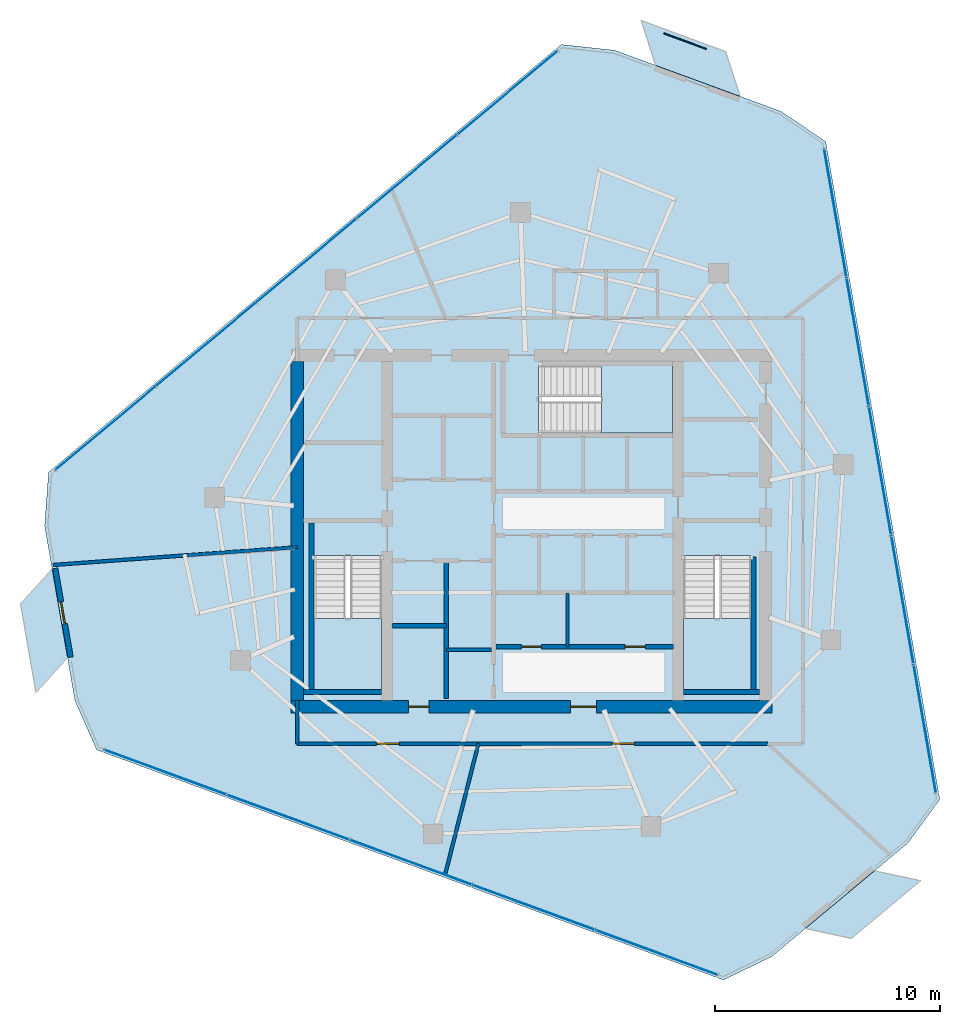
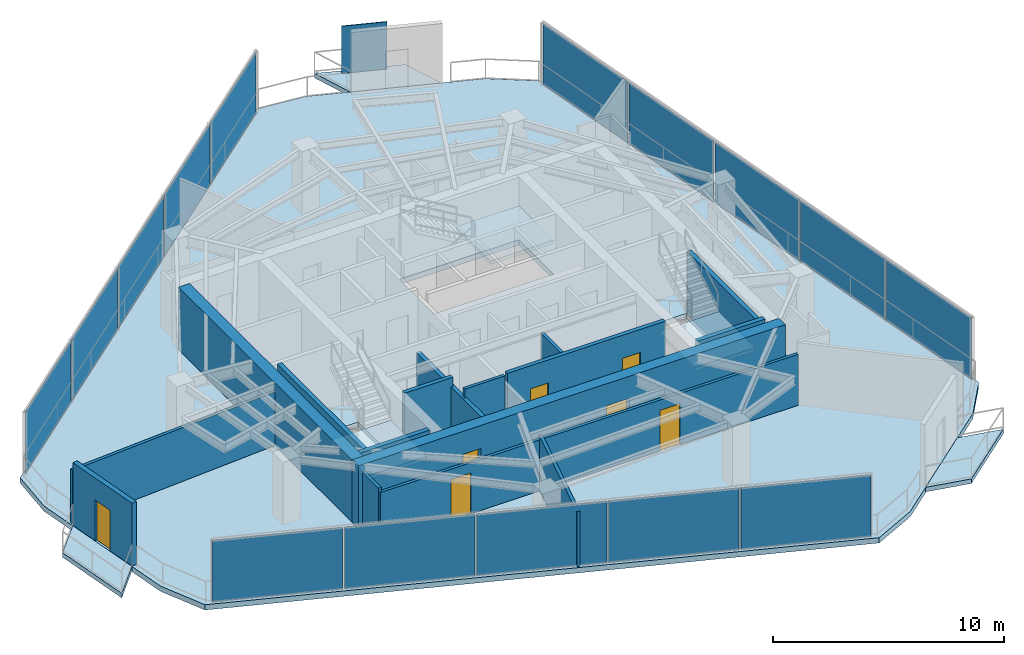
# One storey, part 14 of 18: 17 walls, 16 plates, 7 doors, 7 slabs, 7 openings, 6 elements without a shape of their own.
"""IFC4 building model written with IfcOpenShell, lengths in metres."""

from ifc_helpers import new_model, si_unit, direction, frame, frame_2d, origin, origin_2d, place, context, subcontext, project, spatial, polyline, rectangle, outline, extrude, material, layer, layer_set, type_object, element, fill, aggregate, save


model = new_model("IFC4")

# Units and contexts
model_context = context("Model", 3, precision=1e-05, world=origin(), true_north=direction((0.0, 1.0)))
body_context = subcontext(model_context, "Body", "Model", "MODEL_VIEW")
ifc_project = project(units=[si_unit("LENGTHUNIT", "METRE"), si_unit("AREAUNIT", "SQUARE_METRE"), si_unit("VOLUMEUNIT", "CUBIC_METRE"), si_unit("PLANEANGLEUNIT", "RADIAN"), si_unit("MASSUNIT", "GRAM", prefix="KILO")], contexts=[model_context])

# Site, building, storey
site_placement = place(None, origin())
site = spatial("IfcSite", under=ifc_project, at=site_placement, CompositionType="ELEMENT")
building_placement = place(site_placement, origin())
building = spatial("IfcBuilding", under=site, at=building_placement, Name="Qarnah Convention Tower", CompositionType="ELEMENT")
storey_placement = place(building_placement, frame((0.0, 0.0, 216.60009765625)))
storey = spatial("IfcBuildingStorey", under=building, at=storey_placement, Name="L58", CompositionType="ELEMENT", Elevation=216.60009765625)

# Curtain wall, plates
ifc_material_1 = material(Name="Tempered Low-E dark glass", Category="glass")
ifc_layer_1 = layer(ifc_material_1, 0.174072265625)
ifc_layer_set_1 = layer_set([ifc_layer_1], Name="Tempered Low-E dark glass")
curtain_wall_type = type_object("IfcCurtainWallType", Name="CWS-04", PredefinedType="NOTDEFINED", material=ifc_layer_set_1)
curtain_wall_1_placement = place(storey_placement, origin())
curtain_wall_1 = element("IfcCurtainWall", 1, at=curtain_wall_1_placement, inside=storey, type_object=curtain_wall_type, Name="L58 unitised curtain wall CW-L58-F1", PredefinedType="NOTDEFINED")
ifc_layer_2 = layer(ifc_material_1, 0.033935546875)
ifc_layer_set_2 = layer_set([ifc_layer_2], Name="Tempered Low-E dark glass")
plate_type_1 = type_object("IfcPlateType", Name="PNL-T4", PredefinedType="CURTAIN_PANEL", material=ifc_layer_set_2)
plate_1_placement = place(storey_placement, frame((42.754150390625, 7.6796875, 0.0400390625), z_axis=(0.0, 0.0, 1.0), x_axis=(-0.938742302648, 0.34461991994, 0.0)))
plate_1 = element("IfcPlate", 2, at=plate_1_placement, type_object=plate_type_1, Name="CW-L58-F1 curtain panel 1.1", PredefinedType="CURTAIN_PANEL", context=body_context, shape_type="SweptSolid", body=[
    extrude(rectangle(XDim=5.7275390625, YDim=0.033935546875, at=origin_2d()), origin(), (0.0, 0.0, 1.0), 3.239990234375),
])
plate_2_placement = place(storey_placement, frame((37.30224609375, 9.68115234375, 0.0400390625), z_axis=(0.0, 0.0, 1.0), x_axis=(-0.938742302648, 0.34461991994, 0.0)))
plate_2 = element("IfcPlate", 3, at=plate_2_placement, type_object=plate_type_1, Name="CW-L58-F1 curtain panel 2.1", PredefinedType="CURTAIN_PANEL", context=body_context, shape_type="SweptSolid", body=[
    extrude(rectangle(XDim=5.7275390625, YDim=0.033935546875, at=origin_2d()), origin(), (0.0, 0.0, 1.0), 3.239990234375),
])
plate_3_placement = place(storey_placement, frame((31.8505859375, 11.6826171875, 0.0400390625), z_axis=(0.0, 0.0, 1.0), x_axis=(-0.938742302648, 0.34461991994, 0.0)))
plate_3 = element("IfcPlate", 4, at=plate_3_placement, type_object=plate_type_1, Name="CW-L58-F1 curtain panel 3.1", PredefinedType="CURTAIN_PANEL", context=body_context, shape_type="SweptSolid", body=[
    extrude(rectangle(XDim=5.7275390625, YDim=0.033935546875, at=origin_2d()), origin(), (0.0, 0.0, 1.0), 3.239990234375),
])
plate_4_placement = place(storey_placement, frame((26.398681640625, 13.683837890625, 0.0400390625), z_axis=(0.0, 0.0, 1.0), x_axis=(-0.938742302648, 0.34461991994, 0.0)))
plate_4 = element("IfcPlate", 5, at=plate_4_placement, type_object=plate_type_1, Name="CW-L58-F1 curtain panel 4.1", PredefinedType="CURTAIN_PANEL", context=body_context, shape_type="SweptSolid", body=[
    extrude(rectangle(XDim=5.7275390625, YDim=0.033935546875, at=origin_2d()), origin(), (0.0, 0.0, 1.0), 3.239990234375),
])
plate_5_placement = place(storey_placement, frame((20.947021484375, 15.685302734375, 0.0400390625), z_axis=(0.0, 0.0, 1.0), x_axis=(-0.938742302648, 0.34461991994, 0.0)))
plate_5 = element("IfcPlate", 6, at=plate_5_placement, type_object=plate_type_1, Name="CW-L58-F1 curtain panel 5.1", PredefinedType="CURTAIN_PANEL", context=body_context, shape_type="SweptSolid", body=[
    extrude(rectangle(XDim=5.7275390625, YDim=0.033935546875, at=origin_2d()), origin(), (0.0, 0.0, 1.0), 3.239990234375),
])
aggregate(curtain_wall_1, [plate_1, plate_2, plate_3, plate_4, plate_5])

curtain_wall_2_placement = place(storey_placement, origin())
curtain_wall_2 = element("IfcCurtainWall", 7, at=curtain_wall_2_placement, inside=storey, type_object=curtain_wall_type, Name="L58 unitised curtain wall CW-L58-F2", PredefinedType="NOTDEFINED")
plate_6_placement = place(storey_placement, frame((18.296630859375, 30.96435546875, 0.0400390625), z_axis=(0.0, 0.0, 1.0), x_axis=(0.767845724815, 0.64063479681, 0.0)))
plate_6 = element("IfcPlate", 8, at=plate_6_placement, type_object=plate_type_1, Name="CW-L58-F2 curtain panel 1.1", PredefinedType="CURTAIN_PANEL", context=body_context, shape_type="SweptSolid", body=[
    extrude(rectangle(XDim=5.727783203125, YDim=0.033935546875, at=origin_2d()), origin(), (0.0, 0.0, 1.0), 3.239990234375),
])
plate_7_placement = place(storey_placement, frame((22.756103515625, 34.684814453125, 0.0400390625), z_axis=(0.0, 0.0, 1.0), x_axis=(0.767845724815, 0.64063479681, 0.0)))
plate_7 = element("IfcPlate", 9, at=plate_7_placement, type_object=plate_type_1, Name="CW-L58-F2 curtain panel 2.1", PredefinedType="CURTAIN_PANEL", context=body_context, shape_type="SweptSolid", body=[
    extrude(rectangle(XDim=5.727783203125, YDim=0.033935546875, at=origin_2d()), origin(), (0.0, 0.0, 1.0), 3.239990234375),
])
plate_8_placement = place(storey_placement, frame((27.215576171875, 38.405517578125, 0.0400390625), z_axis=(0.0, 0.0, 1.0), x_axis=(0.767845724815, 0.64063479681, 0.0)))
plate_8 = element("IfcPlate", 10, at=plate_8_placement, type_object=plate_type_1, Name="CW-L58-F2 curtain panel 3.1", PredefinedType="CURTAIN_PANEL", context=body_context, shape_type="SweptSolid", body=[
    extrude(rectangle(XDim=5.727783203125, YDim=0.033935546875, at=origin_2d()), origin(), (0.0, 0.0, 1.0), 3.239990234375),
])
plate_9_placement = place(storey_placement, frame((31.6748046875, 42.126220703125, 0.0400390625), z_axis=(0.0, 0.0, 1.0), x_axis=(0.767845724815, 0.64063479681, 0.0)))
plate_9 = element("IfcPlate", 11, at=plate_9_placement, type_object=plate_type_1, Name="CW-L58-F2 curtain panel 4.1", PredefinedType="CURTAIN_PANEL", context=body_context, shape_type="SweptSolid", body=[
    extrude(rectangle(XDim=5.727783203125, YDim=0.033935546875, at=origin_2d()), origin(), (0.0, 0.0, 1.0), 3.239990234375),
])
plate_10_placement = place(storey_placement, frame((36.13427734375, 45.8466796875, 0.0400390625), z_axis=(0.0, 0.0, 1.0), x_axis=(0.767845724815, 0.64063479681, 0.0)))
plate_10 = element("IfcPlate", 12, at=plate_10_placement, type_object=plate_type_1, Name="CW-L58-F2 curtain panel 5.1", PredefinedType="CURTAIN_PANEL", context=body_context, shape_type="SweptSolid", body=[
    extrude(rectangle(XDim=5.727783203125, YDim=0.033935546875, at=origin_2d()), origin(), (0.0, 0.0, 1.0), 3.239990234375),
])
aggregate(curtain_wall_2, [plate_6, plate_7, plate_8, plate_9, plate_10])

curtain_wall_3_placement = place(storey_placement, origin())
curtain_wall_3 = element("IfcCurtainWall", 13, at=curtain_wall_3_placement, inside=storey, type_object=curtain_wall_type, Name="L58 unitised curtain wall CW-L58-F3", PredefinedType="NOTDEFINED")
plate_11_placement = place(storey_placement, frame((50.690185546875, 40.501953125, 0.0400390625), z_axis=(0.0, 0.0, 1.0), x_axis=(0.17088479705, -0.985291015963, 0.0)))
plate_11 = element("IfcPlate", 14, at=plate_11_placement, type_object=plate_type_1, Name="CW-L58-F3 curtain panel 1.1", PredefinedType="CURTAIN_PANEL", context=body_context, shape_type="SweptSolid", body=[
    extrude(rectangle(XDim=5.7275390625, YDim=0.033935546875, at=origin_2d()), origin(), (0.0, 0.0, 1.0), 3.239990234375),
])
plate_12_placement = place(storey_placement, frame((51.6826171875, 34.780029296875, 0.0400390625), z_axis=(0.0, 0.0, 1.0), x_axis=(0.17088479705, -0.985291015963, 0.0)))
plate_12 = element("IfcPlate", 15, at=plate_12_placement, type_object=plate_type_1, Name="CW-L58-F3 curtain panel 2.1", PredefinedType="CURTAIN_PANEL", context=body_context, shape_type="SweptSolid", body=[
    extrude(rectangle(XDim=5.7275390625, YDim=0.033935546875, at=origin_2d()), origin(), (0.0, 0.0, 1.0), 3.239990234375),
])
plate_13_placement = place(storey_placement, frame((52.675048828125, 29.05810546875, 0.0400390625), z_axis=(0.0, 0.0, 1.0), x_axis=(0.17088479705, -0.985291015963, 0.0)))
plate_13 = element("IfcPlate", 16, at=plate_13_placement, type_object=plate_type_1, Name="CW-L58-F3 curtain panel 3.1", PredefinedType="CURTAIN_PANEL", context=body_context, shape_type="SweptSolid", body=[
    extrude(rectangle(XDim=5.7275390625, YDim=0.033935546875, at=origin_2d()), origin(), (0.0, 0.0, 1.0), 3.239990234375),
])
plate_14_placement = place(storey_placement, frame((53.66748046875, 23.3359375, 0.0400390625), z_axis=(0.0, 0.0, 1.0), x_axis=(0.17088479705, -0.985291015963, 0.0)))
plate_14 = element("IfcPlate", 17, at=plate_14_placement, type_object=plate_type_1, Name="CW-L58-F3 curtain panel 4.1", PredefinedType="CURTAIN_PANEL", context=body_context, shape_type="SweptSolid", body=[
    extrude(rectangle(XDim=5.7275390625, YDim=0.033935546875, at=origin_2d()), origin(), (0.0, 0.0, 1.0), 3.239990234375),
])
plate_15_placement = place(storey_placement, frame((54.659912109375, 17.614013671875, 0.0400390625), z_axis=(0.0, 0.0, 1.0), x_axis=(0.17088479705, -0.985291015963, 0.0)))
plate_15 = element("IfcPlate", 18, at=plate_15_placement, type_object=plate_type_1, Name="CW-L58-F3 curtain panel 5.1", PredefinedType="CURTAIN_PANEL", context=body_context, shape_type="SweptSolid", body=[
    extrude(rectangle(XDim=5.7275390625, YDim=0.033935546875, at=origin_2d()), origin(), (0.0, 0.0, 1.0), 3.239990234375),
])
aggregate(curtain_wall_3, [plate_11, plate_12, plate_13, plate_14, plate_15])

# Plate
ifc_material_2 = material(Name="Black anodised aluminium", Category="aluminium")
ifc_layer_3 = layer(ifc_material_2, 0.044921875)
ifc_layer_set_3 = layer_set([ifc_layer_3], Name="Black anodised aluminium")
plate_type_2 = type_object("IfcPlateType", Name="SCR-BAL-18", PredefinedType="USERDEFINED", material=ifc_layer_set_3)
plate_16_placement = place(storey_placement, frame((44.01904296875, 48.137939453125, 0.0), z_axis=(0.0, 0.0, 1.0), x_axis=(0.938671284591, -0.344813311061, 0.0)))
element("IfcPlate", 19, at=plate_16_placement, inside=storey, type_object=plate_type_2, Name="L58 perforated desert solar screen BAL-L58-C1", ObjectType="SCREEN", PredefinedType="USERDEFINED", context=body_context, shape_type="SweptSolid", body=[
    extrude(rectangle(XDim=2.0, YDim=0.044921875, at=origin_2d()), origin(), (0.0, 0.0, 1.0), 2.5),
])

# Slabs
ifc_material_3 = material(Name="Concrete C45/55", Category="concrete")
ifc_layer_4 = layer(ifc_material_3, 0.239990234375)
ifc_layer_set_4 = layer_set([ifc_layer_4], Name="Concrete C45/55")
slab_type_1 = type_object("IfcSlabType", Name="SLB-BAL-240", PredefinedType="USERDEFINED", material=ifc_layer_set_4)
slab_1_placement = place(storey_placement, frame((0.0, 0.0, -0.239990234375)))
element("IfcSlab", 20, at=slab_1_placement, inside=storey, type_object=slab_type_1, Name="L58 cantilevered balcony slab BAL-L58-C1", ObjectType="BALCONY", PredefinedType="USERDEFINED", context=body_context, shape_type="SweptSolid", body=[
    extrude(outline(polyline([(42.068115234375, 49.055908203125), (45.822021484375, 47.677001953125), (46.464111328125, 45.68505859375), (42.708984375, 47.06396484375), (42.068115234375, 49.055908203125)])), origin(), (0.0, 0.0, 1.0), 0.239990234375),
])
slab_2_placement = place(storey_placement, frame((0.0, 0.0, -0.239990234375)))
element("IfcSlab", 21, at=slab_2_placement, inside=storey, type_object=slab_type_1, Name="L58 cantilevered balcony slab BAL-L58-C2", ObjectType="BALCONY", PredefinedType="USERDEFINED", context=body_context, shape_type="SweptSolid", body=[
    extrude(outline(polyline([(15.200927734375, 19.219970703125), (14.51708984375, 23.160888671875), (15.922119140625, 24.7119140625), (16.60498046875, 20.77099609375), (15.200927734375, 19.219970703125)])), origin(), (0.0, 0.0, 1.0), 0.239990234375),
])
slab_3_placement = place(storey_placement, frame((0.0, 0.0, -0.239990234375)))
element("IfcSlab", 22, at=slab_3_placement, inside=storey, type_object=slab_type_1, Name="L58 cantilevered balcony slab BAL-L58-C3", ObjectType="BALCONY", PredefinedType="USERDEFINED", context=body_context, shape_type="SweptSolid", body=[
    extrude(outline(polyline([(54.472900390625, 10.8701171875), (51.40087890625, 8.30810546875), (49.35595703125, 8.7490234375), (52.427001953125, 11.31103515625), (54.472900390625, 10.8701171875)])), origin(), (0.0, 0.0, 1.0), 0.239990234375),
])

# Stair, slab
ifc_material_4 = material(Name="Concrete C50/60", Category="concrete")
stair_type = type_object("IfcStairType", Name="STR-OFF", PredefinedType="HALF_TURN_STAIR", material=ifc_material_4)
stair_1_placement = place(storey_placement, origin())
stair_1 = element("IfcStair", 23, at=stair_1_placement, inside=storey, type_object=stair_type, Name="L58 Core exit stair ST-1", PredefinedType="HALF_TURN_STAIR")
ifc_layer_5 = layer(ifc_material_4, 0.199951171875)
ifc_layer_set_5 = layer_set([ifc_layer_5], Name="Concrete C50/60")
slab_type_2 = type_object("IfcSlabType", Name="SLB-LANDING-200", PredefinedType="LANDING", material=ifc_layer_set_5)
slab_4_placement = place(storey_placement, frame((0.0, 0.0, 1.599853515625)))
slab_4 = element("IfcSlab", 24, at=slab_4_placement, type_object=slab_type_2, Name="ST-1 landing 1", PredefinedType="LANDING", context=body_context, shape_type="SweptSolid", body=[
    extrude(outline(polyline([(27.550048828125, 22.5), (27.550048828125, 19.35009765625), (30.550048828125, 19.35009765625), (30.550048828125, 22.5), (27.550048828125, 22.5)])), origin(), (0.0, 0.0, 1.0), 0.199951171875),
])
aggregate(stair_1, [slab_4])

stair_2_placement = place(storey_placement, origin())
stair_2 = element("IfcStair", 25, at=stair_2_placement, inside=storey, type_object=stair_type, Name="L58 Core exit stair ST-2", PredefinedType="HALF_TURN_STAIR")
slab_5_placement = place(storey_placement, frame((0.0, 0.0, 1.599853515625)))
slab_5 = element("IfcSlab", 26, at=slab_5_placement, type_object=slab_type_2, Name="ST-2 landing 1", PredefinedType="LANDING", context=body_context, shape_type="SweptSolid", body=[
    extrude(outline(polyline([(43.949951171875, 22.5), (43.949951171875, 19.35009765625), (46.949951171875, 19.35009765625), (46.949951171875, 22.5), (43.949951171875, 22.5)])), origin(), (0.0, 0.0, 1.0), 0.199951171875),
])
aggregate(stair_2, [slab_5])

stair_3_placement = place(storey_placement, origin())
stair_3 = element("IfcStair", 27, at=stair_3_placement, inside=storey, type_object=stair_type, Name="L58 Core exit stair ST-3", PredefinedType="HALF_TURN_STAIR")
slab_6_placement = place(storey_placement, frame((0.0, 0.0, 1.599853515625)))
slab_6 = element("IfcSlab", 28, at=slab_6_placement, type_object=slab_type_2, Name="ST-3 landing 1", PredefinedType="LANDING", context=body_context, shape_type="SweptSolid", body=[
    extrude(outline(polyline([(40.300048828125, 30.75), (43.449951171875, 30.75), (43.449951171875, 33.75), (40.300048828125, 33.75), (40.300048828125, 30.75)])), origin(), (0.0, 0.0, 1.0), 0.199951171875),
])
aggregate(stair_3, [slab_6])

# Slab
ifc_layer_6 = layer(ifc_material_3, 0.280029296875)
ifc_layer_set_6 = layer_set([ifc_layer_6], Name="Concrete C45/55")
slab_type_3 = type_object("IfcSlabType", Name="SLB-TWR-280", PredefinedType="FLOOR", material=ifc_layer_set_6)
slab_7_placement = place(storey_placement, frame((0.0, 0.0, -0.280029296875)))
element("IfcSlab", 29, at=slab_7_placement, inside=storey, type_object=slab_type_3, Name="L58 structural floor slab", PredefinedType="FLOOR", context=body_context, shape_type="SweptSolid", body=[
    extrude(outline(polyline([(38.51708984375, 47.990966796875), (15.760009765625, 29.00390625), (15.5869140625, 26.6201171875), (16.931884765625, 18.863037109375), (17.89794921875, 16.677001953125), (45.719970703125, 6.462890625), (47.87109375, 7.5048828125), (53.916015625, 12.548095703125), (55.325927734375, 14.47802734375), (50.260986328125, 43.678955078125), (48.282958984375, 45.02099609375), (40.89306640625, 47.735107421875), (38.51708984375, 47.990966796875)]), holes=[polyline([(27.550048828125, 25.300048828125), (27.550048828125, 19.35009765625), (30.550048828125, 19.35009765625), (30.550048828125, 25.300048828125), (27.550048828125, 25.300048828125)]), polyline([(43.949951171875, 25.300048828125), (43.949951171875, 19.35009765625), (46.949951171875, 19.35009765625), (46.949951171875, 25.300048828125), (43.949951171875, 25.300048828125)]), polyline([(37.5, 30.75), (43.449951171875, 30.75), (43.449951171875, 33.75), (37.5, 33.75), (37.5, 30.75)])]), origin(), (0.0, 0.0, 1.0), 0.280029296875),
])

# Wall, openings, doors
ifc_material_5 = material(Name="Concrete C60/75", Category="concrete")
ifc_layer_7 = layer(ifc_material_5, 0.550048828125)
ifc_layer_set_7 = layer_set([ifc_layer_7], Name="Concrete C60/75")
wall_type_1 = type_object("IfcWallType", Name="WL-CORE-550", PredefinedType="SHEAR", material=ifc_layer_set_7)
wall_1_placement = place(storey_placement, frame((26.52490234375, 18.60009765625, 0.0), z_axis=(0.0, 0.0, 1.0), x_axis=(1.0, 0.0, 0.0)))
wall_1 = element("IfcWall", 30, at=wall_1_placement, inside=storey, type_object=wall_type_1, Name="L58 core south shear wall", PredefinedType="SHEAR", context=body_context, shape_type="SweptSolid", body=[
    extrude(rectangle(XDim=21.35009765625, YDim=0.550048828125, at=frame_2d((10.675048828125, 0.0))), origin(), (0.0, 0.0, 1.0), 3.31982421875),
])
opening_1_placement = place(wall_1_placement, frame((12.39990234375, 0.0, 0.0)))
opening_1 = element("IfcOpeningElement", 31, at=opening_1_placement, cuts=wall_1, Name="Opening D-5807", PredefinedType="OPENING", context=body_context, shape_type="SweptSolid", body=[
    extrude(rectangle(XDim=1.14990234375, YDim=2.14990234375, at=frame_2d((0.574951171875, 1.074951171875))), frame((0.0, 0.284912109375, 0.0), z_axis=(0.0, -1.0, 0.0), x_axis=(1.0, 0.0, 0.0)), (0.0, 0.0, 1.0), 0.570068359375),
])
opening_2_placement = place(wall_1_placement, frame((5.22509765625, 0.0, 0.0)))
opening_2 = element("IfcOpeningElement", 32, at=opening_2_placement, cuts=wall_1, Name="Opening D-5813", PredefinedType="OPENING", context=body_context, shape_type="SweptSolid", body=[
    extrude(rectangle(XDim=0.89990234375, YDim=2.10009765625, at=frame_2d((0.449951171875, 1.050048828125))), frame((0.0, 0.284912109375, 0.0), z_axis=(0.0, -1.0, 0.0), x_axis=(1.0, 0.0, 0.0)), (0.0, 0.0, 1.0), 0.570068359375),
])
ifc_material_6 = material(Name="Structural steel S355JR", Category="steel")
door_type_1 = type_object("IfcDoorType", Name="DT-LOBBY-1150", OperationType="NOTDEFINED", PredefinedType="DOOR", material=ifc_material_6)
door_1_placement = place(opening_1_placement, origin())
door_1 = element("IfcDoor", 33, at=door_1_placement, inside=storey, type_object=door_type_1, Name="Door D-5807", OperationType="SINGLE_SWING_LEFT", OverallHeight=2.14990234375, OverallWidth=1.14990234375, PredefinedType="DOOR", context=body_context, shape_type="SweptSolid", body=[
    extrude(rectangle(XDim=1.14990234375, YDim=2.14990234375, at=frame_2d((0.574951171875, 1.074951171875))), frame((0.0, 0.02490234375, 0.0), z_axis=(0.0, -1.0, 0.0), x_axis=(1.0, 0.0, 0.0)), (0.0, 0.0, 1.0), 0.050048828125),
])
fill(opening_1, door_1)
door_type_2 = type_object("IfcDoorType", Name="DT-RISER-900", OperationType="NOTDEFINED", PredefinedType="DOOR", material=ifc_material_6)
door_2_placement = place(opening_2_placement, origin())
door_2 = element("IfcDoor", 34, at=door_2_placement, inside=storey, type_object=door_type_2, Name="Door D-5813", OperationType="SINGLE_SWING_LEFT", OverallHeight=2.10009765625, OverallWidth=0.89990234375, PredefinedType="DOOR", context=body_context, shape_type="SweptSolid", body=[
    extrude(rectangle(XDim=0.89990234375, YDim=2.10009765625, at=frame_2d((0.449951171875, 1.050048828125))), frame((0.0, 0.02490234375, 0.0), z_axis=(0.0, -1.0, 0.0), x_axis=(1.0, 0.0, 0.0)), (0.0, 0.0, 1.0), 0.050048828125),
])
fill(opening_2, door_2)

# Walls
wall_2_placement = place(storey_placement, frame((26.800048828125, 18.875, 0.0), z_axis=(0.0, 0.0, 1.0), x_axis=(0.0, 1.0, 0.0)))
element("IfcWall", 35, at=wall_2_placement, inside=storey, type_object=wall_type_1, Name="L58 core west shear wall", PredefinedType="SHEAR", context=body_context, shape_type="SweptSolid", body=[
    extrude(rectangle(XDim=15.050048828125, YDim=0.550048828125, at=frame_2d((7.52490234375, 0.0))), origin(), (0.0, 0.0, 1.0), 3.31982421875),
])
ifc_layer_8 = layer(ifc_material_3, 0.199951171875)
ifc_layer_set_8 = layer_set([ifc_layer_8], Name="Concrete C45/55")
wall_type_2 = type_object("IfcWallType", Name="WL-CORE-PART-200", PredefinedType="SOLIDWALL", material=ifc_layer_set_8)
wall_3_placement = place(storey_placement, frame((33.419921875, 18.949951171875, 0.0), z_axis=(0.0, 0.0, 1.0), x_axis=(0.0, 1.0, 0.0)))
element("IfcWall", 36, at=wall_3_placement, inside=storey, type_object=wall_type_2, Name="L58 interior wall IW-L58-SVLE", PredefinedType="SOLIDWALL", context=body_context, shape_type="SweptSolid", body=[
    extrude(rectangle(XDim=6.130126953125, YDim=0.199951171875, at=frame_2d((3.06494140625, 0.0))), origin(), (0.0, 0.0, 1.0), 2.8408203125),
])
wall_4_placement = place(storey_placement, frame((31.0, 22.179931640625, 0.0), z_axis=(0.0, 0.0, 1.0), x_axis=(1.0, 0.0, 0.0)))
element("IfcWall", 37, at=wall_4_placement, inside=storey, type_object=wall_type_2, Name="L58 interior wall IW-L58-SVLS", PredefinedType="SOLIDWALL", context=body_context, shape_type="SweptSolid", body=[
    extrude(rectangle(XDim=2.419921875, YDim=0.199951171875, at=frame_2d((1.2099609375, 0.0))), origin(), (0.0, 0.0, 1.0), 3.31982421875),
])

# Wall, openings, doors
wall_5_placement = place(storey_placement, frame((35.6201171875, 21.25, 0.0), z_axis=(0.0, 0.0, 1.0), x_axis=(1.0, 0.0, 0.0)))
wall_5 = element("IfcWall", 38, at=wall_5_placement, inside=storey, type_object=wall_type_2, Name="L58 interior wall IW-L58-PLS", PredefinedType="SOLIDWALL", context=body_context, shape_type="SweptSolid", body=[
    extrude(rectangle(XDim=7.8798828125, YDim=0.199951171875, at=frame_2d((3.93994140625, 0.0))), origin(), (0.0, 0.0, 1.0), 3.31982421875),
])
opening_3_placement = place(wall_5_placement, frame((1.1298828125, 0.0, 0.0)))
opening_3 = element("IfcOpeningElement", 39, at=opening_3_placement, cuts=wall_5, Name="Opening D-5816", PredefinedType="OPENING", context=body_context, shape_type="SweptSolid", body=[
    extrude(rectangle(XDim=0.89990234375, YDim=2.10009765625, at=frame_2d((0.449951171875, 1.050048828125))), frame((0.0, 0.10986328125, 0.0), z_axis=(0.0, -1.0, 0.0), x_axis=(1.0, 0.0, 0.0)), (0.0, 0.0, 1.0), 0.219970703125),
])
opening_4_placement = place(wall_5_placement, frame((5.72998046875, 0.0, 0.0)))
opening_4 = element("IfcOpeningElement", 40, at=opening_4_placement, cuts=wall_5, Name="Opening D-5817", PredefinedType="OPENING", context=body_context, shape_type="SweptSolid", body=[
    extrude(rectangle(XDim=0.89990234375, YDim=2.10009765625, at=frame_2d((0.449951171875, 1.050048828125))), frame((0.0, 0.10986328125, 0.0), z_axis=(0.0, -1.0, 0.0), x_axis=(1.0, 0.0, 0.0)), (0.0, 0.0, 1.0), 0.219970703125),
])
door_3_placement = place(opening_3_placement, origin())
door_3 = element("IfcDoor", 41, at=door_3_placement, inside=storey, type_object=door_type_2, Name="Door D-5816", OperationType="SINGLE_SWING_RIGHT", OverallHeight=2.10009765625, OverallWidth=0.89990234375, PredefinedType="DOOR", context=body_context, shape_type="SweptSolid", body=[
    extrude(rectangle(XDim=0.89990234375, YDim=2.10009765625, at=frame_2d((0.449951171875, 1.050048828125))), frame((0.0, 0.02490234375, 0.0), z_axis=(0.0, -1.0, 0.0), x_axis=(1.0, 0.0, 0.0)), (0.0, 0.0, 1.0), 0.050048828125),
])
fill(opening_3, door_3)
door_4_placement = place(opening_4_placement, origin())
door_4 = element("IfcDoor", 42, at=door_4_placement, inside=storey, type_object=door_type_2, Name="Door D-5817", OperationType="SINGLE_SWING_LEFT", OverallHeight=2.10009765625, OverallWidth=0.89990234375, PredefinedType="DOOR", context=body_context, shape_type="SweptSolid", body=[
    extrude(rectangle(XDim=0.89990234375, YDim=2.10009765625, at=frame_2d((0.449951171875, 1.050048828125))), frame((0.0, 0.02490234375, 0.0), z_axis=(0.0, -1.0, 0.0), x_axis=(1.0, 0.0, 0.0)), (0.0, 0.0, 1.0), 0.050048828125),
])
fill(opening_4, door_4)

# Walls
ifc_layer_9 = layer(ifc_material_5, 0.219970703125)
ifc_layer_set_9 = layer_set([ifc_layer_9], Name="Concrete C60/75")
wall_type_3 = type_object("IfcWallType", Name="WL-CORE-STAIR-220", PredefinedType="SHEAR", material=ifc_layer_set_9)
wall_6_placement = place(storey_placement, frame((27.43994140625, 19.35009765625, 0.0), z_axis=(0.0, 0.0, 1.0), x_axis=(0.0, 1.0, 0.0)))
element("IfcWall", 43, at=wall_6_placement, inside=storey, type_object=wall_type_3, Name="L58 stair shaft shear wall SW-L58-ST1W", PredefinedType="SHEAR", context=body_context, shape_type="SweptSolid", body=[
    extrude(rectangle(XDim=7.39990234375, YDim=0.219970703125, at=frame_2d((3.699951171875, 0.0))), origin(), (0.0, 0.0, 1.0), 3.31982421875),
])
wall_7_placement = place(storey_placement, frame((27.074951171875, 19.239990234375, 0.0), z_axis=(0.0, 0.0, 1.0), x_axis=(1.0, 0.0, 0.0)))
element("IfcWall", 44, at=wall_7_placement, inside=storey, type_object=wall_type_3, Name="L58 stair shaft shear wall SW-L58-ST1S", PredefinedType="SHEAR", context=body_context, shape_type="SweptSolid", body=[
    extrude(rectangle(XDim=3.47509765625, YDim=0.219970703125, at=frame_2d((1.737548828125, 0.0))), origin(), (0.0, 0.0, 1.0), 3.31982421875),
])
wall_8_placement = place(storey_placement, frame((47.06005859375, 19.35009765625, 0.0), z_axis=(0.0, 0.0, 1.0), x_axis=(0.0, 1.0, 0.0)))
element("IfcWall", 45, at=wall_8_placement, inside=storey, type_object=wall_type_3, Name="L58 stair shaft shear wall SW-L58-ST2E", PredefinedType="SHEAR", context=body_context, shape_type="SweptSolid", body=[
    extrude(rectangle(XDim=5.89990234375, YDim=0.219970703125, at=frame_2d((2.949951171875, 0.0))), origin(), (0.0, 0.0, 1.0), 3.31982421875),
])
wall_9_placement = place(storey_placement, frame((43.949951171875, 19.239990234375, 0.0), z_axis=(0.0, 0.0, 1.0), x_axis=(1.0, 0.0, 0.0)))
element("IfcWall", 46, at=wall_9_placement, inside=storey, type_object=wall_type_3, Name="L58 stair shaft shear wall SW-L58-ST2S", PredefinedType="SHEAR", context=body_context, shape_type="SweptSolid", body=[
    extrude(rectangle(XDim=3.375, YDim=0.219970703125, at=frame_2d((1.6875, 0.0))), origin(), (0.0, 0.0, 1.0), 3.31982421875),
])

# Wall, opening, door
ifc_material_7 = material(Name="Precast concrete C45/55", Category="concrete")
ifc_layer_10 = layer(ifc_material_7, 0.239990234375)
ifc_layer_set_10 = layer_set([ifc_layer_10], Name="Precast concrete C45/55")
wall_type_4 = type_object("IfcWallType", Name="WL-EXT-BAL-240", PredefinedType="SOLIDWALL", material=ifc_layer_set_10)
wall_10_placement = place(storey_placement, frame((16.739013671875, 20.794921875, 0.0), z_axis=(0.0, 0.0, 1.0), x_axis=(-0.170779612811, 0.985309252899, 0.0)))
wall_10 = element("IfcWall", 47, at=wall_10_placement, inside=storey, type_object=wall_type_4, Name="L58 loggia threshold wall BAL-L58-C2", PredefinedType="SOLIDWALL", context=body_context, shape_type="SweptSolid", body=[
    extrude(rectangle(XDim=4.0, YDim=0.239990234375, at=frame_2d((2.0, 0.0))), origin(), (0.0, 0.0, 1.0), 3.31982421875),
])
opening_5_placement = place(wall_10_placement, frame((1.5, 0.0, 0.0)))
opening_5 = element("IfcOpeningElement", 48, at=opening_5_placement, cuts=wall_10, Name="Opening BD-5802", PredefinedType="OPENING", context=body_context, shape_type="SweptSolid", body=[
    extrude(rectangle(XDim=1.0, YDim=2.14990234375, at=frame_2d((0.5, 1.074951171875))), frame((0.0, 0.1298828125, 0.0), z_axis=(0.0, -1.0, 0.0), x_axis=(1.0, 0.0, 0.0)), (0.0, 0.0, 1.0), 0.260009765625),
])
door_type_3 = type_object("IfcDoorType", Name="DT-BAL-1000", OperationType="NOTDEFINED", PredefinedType="DOOR", material=ifc_material_2)
door_5_placement = place(opening_5_placement, origin())
door_5 = element("IfcDoor", 49, at=door_5_placement, inside=storey, type_object=door_type_3, Name="L58 balcony terrace door BAL-L58-C2", OperationType="SINGLE_SWING_RIGHT", OverallHeight=2.14990234375, OverallWidth=1.0, PredefinedType="DOOR", context=body_context, shape_type="SweptSolid", body=[
    extrude(rectangle(XDim=1.0, YDim=2.14990234375, at=frame_2d((0.5, 1.074951171875))), frame((0.0, 0.02490234375, 0.0), z_axis=(0.0, -1.0, 0.0), x_axis=(1.0, 0.0, 0.0)), (0.0, 0.0, 1.0), 0.050048828125),
])
fill(opening_5, door_5)

# Walls
ifc_material_8 = material(Name="Gypsum partition board")
ifc_layer_11 = layer(ifc_material_8, 0.14990234375)
ifc_layer_set_11 = layer_set([ifc_layer_11], Name="Gypsum partition board")
wall_type_5 = type_object("IfcWallType", Name="WL-SUITE-150", PredefinedType="PARTITIONING", material=ifc_layer_set_11)
wall_11_placement = place(storey_placement, frame((33.419921875, 21.1201171875, 0.0), z_axis=(0.0, 0.0, 1.0), x_axis=(1.0, 0.0, 0.0)))
element("IfcWall", 50, at=wall_11_placement, inside=storey, type_object=wall_type_5, Name="L58 interior wall IW-L58-CSV1", PredefinedType="PARTITIONING", context=body_context, shape_type="SweptSolid", body=[
    extrude(rectangle(XDim=2.0, YDim=0.14990234375, at=frame_2d((1.0, 0.0))), origin(), (0.0, 0.0, 1.0), 3.31982421875),
])
wall_12_placement = place(storey_placement, frame((38.800048828125, 21.25, 0.0), z_axis=(0.0, 0.0, 1.0), x_axis=(0.0, 1.0, 0.0)))
element("IfcWall", 51, at=wall_12_placement, inside=storey, type_object=wall_type_5, Name="L58 interior wall IW-L58-PLFD", PredefinedType="PARTITIONING", context=body_context, shape_type="SweptSolid", body=[
    extrude(rectangle(XDim=2.39990234375, YDim=0.14990234375, at=frame_2d((1.199951171875, 0.0))), origin(), (0.0, 0.0, 1.0), 2.8408203125),
])
wall_13_placement = place(storey_placement, frame((15.968017578125, 24.886962890625, 0.0), z_axis=(0.0, 0.0, 1.0), x_axis=(0.997376805067, 0.072384450782, 0.0)))
element("IfcWall", 52, at=wall_13_placement, inside=storey, type_object=wall_type_5, Name="L58 interior wall IW-L58-R-13", PredefinedType="PARTITIONING", context=body_context, shape_type="SweptSolid", body=[
    extrude(rectangle(XDim=10.860595703125, YDim=0.14990234375, at=frame_2d((5.43017578125, 0.0))), origin(), (0.0, 0.0, 1.0), 2.8408203125),
])
wall_14_placement = place(storey_placement, frame((33.35205078125, 11.087890625, 0.0), z_axis=(0.0, 0.0, 1.0), x_axis=(0.246645510647, 0.969105769293, 0.0)))
element("IfcWall", 53, at=wall_14_placement, inside=storey, type_object=wall_type_5, Name="L58 interior wall IW-L58-R-16", PredefinedType="PARTITIONING", context=body_context, shape_type="SweptSolid", body=[
    extrude(rectangle(XDim=6.048828125, YDim=0.14990234375, at=frame_2d((3.0244140625, 0.0))), origin(), (0.0, 0.0, 1.0), 2.90478515625),
])

# Wall, opening, door
wall_15_placement = place(storey_placement, frame((34.843994140625, 16.949951171875, 0.0), z_axis=(0.0, 0.0, 1.0), x_axis=(-1.0, 0.0, 0.0)))
wall_15 = element("IfcWall", 54, at=wall_15_placement, inside=storey, type_object=wall_type_5, Name="L58 interior wall IW-L58-R-17", PredefinedType="PARTITIONING", context=body_context, shape_type="SweptSolid", body=[
    extrude(rectangle(XDim=8.0439453125, YDim=0.14990234375, at=frame_2d((4.02197265625, 0.0))), origin(), (0.0, 0.0, 1.0), 2.697021484375),
])
opening_6_placement = place(wall_15_placement, frame((3.52197265625, 0.0, 0.0)))
opening_6 = element("IfcOpeningElement", 55, at=opening_6_placement, cuts=wall_15, Name="Opening D-5822", PredefinedType="OPENING", context=body_context, shape_type="SweptSolid", body=[
    extrude(rectangle(XDim=1.0, YDim=2.14990234375, at=frame_2d((0.5, 1.074951171875))), frame((0.0, 0.0849609375, 0.0), z_axis=(0.0, -1.0, 0.0), x_axis=(1.0, 0.0, 0.0)), (0.0, 0.0, 1.0), 0.169921875),
])
ifc_material_9 = material(Name="Oak timber veneer", Category="wood")
door_type_4 = type_object("IfcDoorType", Name="DT-OFFICE-1000", OperationType="NOTDEFINED", PredefinedType="DOOR", material=ifc_material_9)
door_6_placement = place(opening_6_placement, origin())
door_6 = element("IfcDoor", 56, at=door_6_placement, inside=storey, type_object=door_type_4, Name="Door D-5822", OperationType="SINGLE_SWING_RIGHT", OverallHeight=2.14990234375, OverallWidth=1.0, PredefinedType="DOOR", context=body_context, shape_type="SweptSolid", body=[
    extrude(rectangle(XDim=1.0, YDim=2.14990234375, at=frame_2d((0.5, 1.074951171875))), frame((0.0, 0.02490234375, 0.0), z_axis=(0.0, -1.0, 0.0), x_axis=(1.0, 0.0, 0.0)), (0.0, 0.0, 1.0), 0.050048828125),
])
fill(opening_6, door_6)

# Wall
wall_16_placement = place(storey_placement, frame((26.800048828125, 16.949951171875, 0.0), z_axis=(0.0, 0.0, 1.0), x_axis=(0.0, 1.0, 0.0)))
element("IfcWall", 57, at=wall_16_placement, inside=storey, type_object=wall_type_5, Name="L58 interior wall IW-L58-R-18", PredefinedType="PARTITIONING", context=body_context, shape_type="SweptSolid", body=[
    extrude(rectangle(XDim=1.925048828125, YDim=0.14990234375, at=frame_2d((0.96240234375, 0.0))), origin(), (0.0, 0.0, 1.0), 2.90478515625),
])

# Wall, opening, door
wall_17_placement = place(storey_placement, frame((47.695068359375, 16.949951171875, 0.0), z_axis=(0.0, 0.0, 1.0), x_axis=(-1.0, 0.0, 0.0)))
wall_17 = element("IfcWall", 58, at=wall_17_placement, inside=storey, type_object=wall_type_5, Name="L58 interior wall IW-L58-R-20", PredefinedType="PARTITIONING", context=body_context, shape_type="SweptSolid", body=[
    extrude(rectangle(XDim=12.85107421875, YDim=0.14990234375, at=frame_2d((6.425537109375, 0.0))), origin(), (0.0, 0.0, 1.0), 2.697021484375),
])
opening_7_placement = place(wall_17_placement, frame((5.926025390625, 0.0, 0.0)))
opening_7 = element("IfcOpeningElement", 59, at=opening_7_placement, cuts=wall_17, Name="Opening D-5823", PredefinedType="OPENING", context=body_context, shape_type="SweptSolid", body=[
    extrude(rectangle(XDim=1.0, YDim=2.14990234375, at=frame_2d((0.5, 1.074951171875))), frame((0.0, 0.0849609375, 0.0), z_axis=(0.0, -1.0, 0.0), x_axis=(1.0, 0.0, 0.0)), (0.0, 0.0, 1.0), 0.169921875),
])
door_7_placement = place(opening_7_placement, origin())
door_7 = element("IfcDoor", 60, at=door_7_placement, inside=storey, type_object=door_type_4, Name="Door D-5823", OperationType="SINGLE_SWING_LEFT", OverallHeight=2.14990234375, OverallWidth=1.0, PredefinedType="DOOR", context=body_context, shape_type="SweptSolid", body=[
    extrude(rectangle(XDim=1.0, YDim=2.14990234375, at=frame_2d((0.5, 1.074951171875))), frame((0.0, 0.02490234375, 0.0), z_axis=(0.0, -1.0, 0.0), x_axis=(1.0, 0.0, 0.0)), (0.0, 0.0, 1.0), 0.050048828125),
])
fill(opening_7, door_7)

save(model, "model.ifc")
